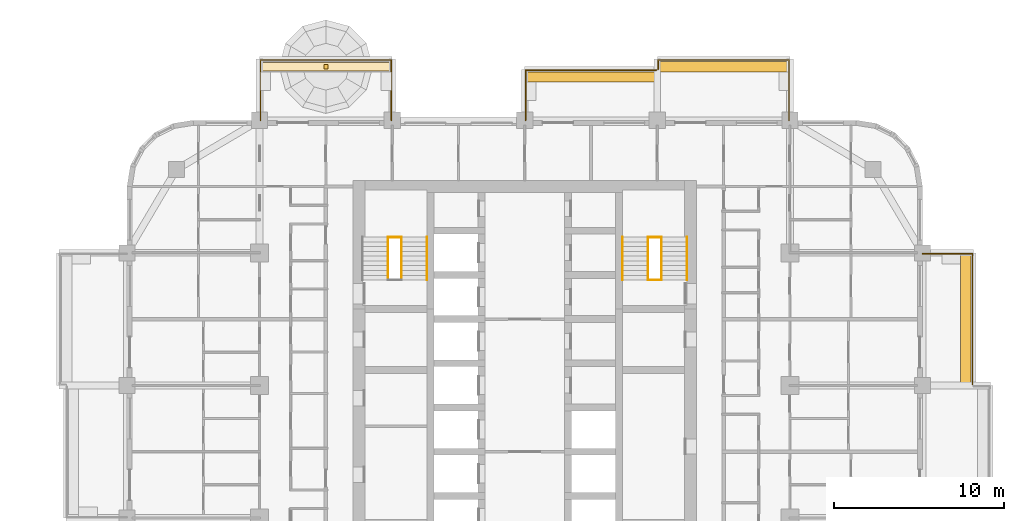
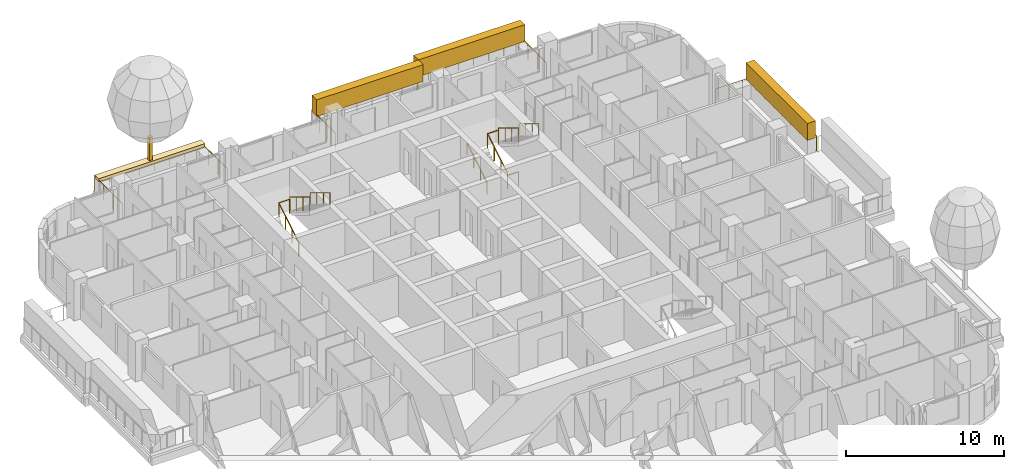
# One storey, part 18 of 19: 14 railings, 5 coverings, 2 elements without a shape of their own.
"""IFC4 building model written with IfcOpenShell, lengths in metres."""

from ifc_helpers import new_model, si_unit, direction, frame, origin, origin_2d, place, context, subcontext, project, spatial, rectangle, circle, extrude, material, layer, layer_set, type_object, element, aggregate, save


model = new_model("IFC4")

# Units and contexts
model_context = context("Model", 3, precision=1e-05, world=origin(), true_north=direction((0.0, 1.0)))
body_context = subcontext(model_context, "Body", "Model", "MODEL_VIEW")
ifc_project = project(units=[si_unit("LENGTHUNIT", "METRE"), si_unit("AREAUNIT", "SQUARE_METRE"), si_unit("VOLUMEUNIT", "CUBIC_METRE"), si_unit("PLANEANGLEUNIT", "RADIAN"), si_unit("MASSUNIT", "GRAM", prefix="KILO")], contexts=[model_context])

# Site, building, storey
site_placement = place(None, origin())
site = spatial("IfcSite", under=ifc_project, at=site_placement, CompositionType="ELEMENT")
building_placement = place(site_placement, origin())
building = spatial("IfcBuilding", under=site, at=building_placement, Name="Ludao Terraces", CompositionType="ELEMENT")
storey_placement = place(building_placement, frame((0.0, 0.0, 81.800048828125)))
storey = spatial("IfcBuildingStorey", under=building, at=storey_placement, Name="L22", CompositionType="ELEMENT", Elevation=81.800048828125)

# Railings
ifc_material_1 = material(Name="Stainless steel 304", Category="steel")
railing_type_1 = type_object("IfcRailingType", Name="ENV Balcony glass guard 1200", PredefinedType="GUARDRAIL", material=ifc_material_1)
railing_1_placement = place(storey_placement, frame((111.35009765625, 72.85009765625, 0.0)))
element("IfcRailing", 1, at=railing_1_placement, inside=storey, type_object=railing_type_1, Name="Balcony guard L22 E4", PredefinedType="GUARDRAIL", context=body_context, shape_type="SweptSolid", body=[
    extrude(circle(Radius=0.02392578125, at=origin_2d()), frame((0.0, 0.0, 1.17578125), z_axis=(0.0, 1.0, 0.0), x_axis=(-1.0, 0.0, 0.0)), (0.0, 0.0, 1.0), 7.699951171875),
    extrude(circle(Radius=0.02392578125, at=origin_2d()), frame((0.0, 7.699951171875, 1.17578125), z_axis=(-1.0, 0.0, 0.0), x_axis=(0.0, -1.0, 0.0)), (0.0, 0.0, 1.0), 2.9501953125),
    extrude(circle(Radius=0.02099609375, at=origin_2d()), origin(), (0.0, 0.0, 1.0), 1.15185546875),
    extrude(circle(Radius=0.02099609375, at=origin_2d()), frame((0.0, 1.10009765625, 0.0)), (0.0, 0.0, 1.0), 1.15185546875),
    extrude(circle(Radius=0.02099609375, at=origin_2d()), frame((0.0, 2.199951171875, 0.0)), (0.0, 0.0, 1.0), 1.15185546875),
    extrude(circle(Radius=0.02099609375, at=origin_2d()), frame((0.0, 3.300048828125, 0.0)), (0.0, 0.0, 1.0), 1.15185546875),
    extrude(circle(Radius=0.02099609375, at=origin_2d()), frame((0.0, 4.39990234375, 0.0)), (0.0, 0.0, 1.0), 1.15185546875),
    extrude(circle(Radius=0.02099609375, at=origin_2d()), frame((0.0, 5.5, 0.0)), (0.0, 0.0, 1.0), 1.15185546875),
    extrude(circle(Radius=0.02099609375, at=origin_2d()), frame((0.0, 6.599853515625, 0.0)), (0.0, 0.0, 1.0), 1.15185546875),
    extrude(circle(Radius=0.02099609375, at=origin_2d()), frame((0.0, 7.699951171875, 0.0)), (0.0, 0.0, 1.0), 1.15185546875),
    extrude(circle(Radius=0.02099609375, at=origin_2d()), frame((-0.9833984375, 7.699951171875, 0.0)), (0.0, 0.0, 1.0), 1.15185546875),
    extrude(circle(Radius=0.02099609375, at=origin_2d()), frame((-1.966796875, 7.699951171875, 0.0)), (0.0, 0.0, 1.0), 1.15185546875),
    extrude(circle(Radius=0.02099609375, at=origin_2d()), frame((-2.9501953125, 7.699951171875, 0.0)), (0.0, 0.0, 1.0), 1.15185546875),
])
railing_2_placement = place(storey_placement, frame((69.449951171875, 88.39990234375, 0.0)))
element("IfcRailing", 2, at=railing_2_placement, inside=storey, type_object=railing_type_1, Name="Balcony guard L22 N1", PredefinedType="GUARDRAIL", context=body_context, shape_type="SweptSolid", body=[
    extrude(circle(Radius=0.02392578125, at=origin_2d()), frame((0.0, 0.0, 1.17578125), z_axis=(0.0, 1.0, 0.0), x_axis=(-1.0, 0.0, 0.0)), (0.0, 0.0, 1.0), 3.550048828125),
    extrude(circle(Radius=0.02392578125, at=origin_2d()), frame((0.0, 3.550048828125, 1.17578125), z_axis=(1.0, 0.0, 0.0), x_axis=(0.0, 1.0, 0.0)), (0.0, 0.0, 1.0), 7.699951171875),
    extrude(circle(Radius=0.02392578125, at=origin_2d()), frame((7.699951171875, 3.550048828125, 1.17578125), z_axis=(0.0, -1.0, 0.0), x_axis=(1.0, 0.0, 0.0)), (0.0, 0.0, 1.0), 3.550048828125),
    extrude(circle(Radius=0.02099609375, at=origin_2d()), origin(), (0.0, 0.0, 1.0), 1.15185546875),
    extrude(circle(Radius=0.02099609375, at=origin_2d()), frame((0.0, 1.183349609375, 0.0)), (0.0, 0.0, 1.0), 1.15185546875),
    extrude(circle(Radius=0.02099609375, at=origin_2d()), frame((0.0, 2.36669921875, 0.0)), (0.0, 0.0, 1.0), 1.15185546875),
    extrude(circle(Radius=0.02099609375, at=origin_2d()), frame((0.0, 3.550048828125, 0.0)), (0.0, 0.0, 1.0), 1.15185546875),
    extrude(circle(Radius=0.02099609375, at=origin_2d()), frame((1.10009765625, 3.550048828125, 0.0)), (0.0, 0.0, 1.0), 1.15185546875),
    extrude(circle(Radius=0.02099609375, at=origin_2d()), frame((2.199951171875, 3.550048828125, 0.0)), (0.0, 0.0, 1.0), 1.15185546875),
    extrude(circle(Radius=0.02099609375, at=origin_2d()), frame((3.300048828125, 3.550048828125, 0.0)), (0.0, 0.0, 1.0), 1.15185546875),
    extrude(circle(Radius=0.02099609375, at=origin_2d()), frame((4.39990234375, 3.550048828125, 0.0)), (0.0, 0.0, 1.0), 1.15185546875),
    extrude(circle(Radius=0.02099609375, at=origin_2d()), frame((5.5, 3.550048828125, 0.0)), (0.0, 0.0, 1.0), 1.15185546875),
    extrude(circle(Radius=0.02099609375, at=origin_2d()), frame((6.599853515625, 3.550048828125, 0.0)), (0.0, 0.0, 1.0), 1.15185546875),
    extrude(circle(Radius=0.02099609375, at=origin_2d()), frame((7.699951171875, 3.550048828125, 0.0)), (0.0, 0.0, 1.0), 1.15185546875),
    extrude(circle(Radius=0.02099609375, at=origin_2d()), frame((7.699951171875, 2.36669921875, 0.0)), (0.0, 0.0, 1.0), 1.15185546875),
    extrude(circle(Radius=0.02099609375, at=origin_2d()), frame((7.699951171875, 1.183349609375, 0.0)), (0.0, 0.0, 1.0), 1.15185546875),
    extrude(circle(Radius=0.02099609375, at=origin_2d()), frame((7.699951171875, 0.0, 0.0)), (0.0, 0.0, 1.0), 1.15185546875),
])
railing_3_placement = place(storey_placement, frame((85.050048828125, 88.39990234375, 0.0)))
element("IfcRailing", 3, at=railing_3_placement, inside=storey, type_object=railing_type_1, Name="Balcony guard L22 N3", PredefinedType="GUARDRAIL", context=body_context, shape_type="SweptSolid", body=[
    extrude(circle(Radius=0.02392578125, at=origin_2d()), frame((0.0, 0.0, 1.17578125), z_axis=(0.0, 1.0, 0.0), x_axis=(-1.0, 0.0, 0.0)), (0.0, 0.0, 1.0), 2.9501953125),
    extrude(circle(Radius=0.02392578125, at=origin_2d()), frame((0.0, 2.9501953125, 1.17578125), z_axis=(1.0, 0.0, 0.0), x_axis=(0.0, 1.0, 0.0)), (0.0, 0.0, 1.0), 7.699951171875),
    extrude(circle(Radius=0.02099609375, at=origin_2d()), origin(), (0.0, 0.0, 1.0), 1.15185546875),
    extrude(circle(Radius=0.02099609375, at=origin_2d()), frame((0.0, 0.9833984375, 0.0)), (0.0, 0.0, 1.0), 1.15185546875),
    extrude(circle(Radius=0.02099609375, at=origin_2d()), frame((0.0, 1.966796875, 0.0)), (0.0, 0.0, 1.0), 1.15185546875),
    extrude(circle(Radius=0.02099609375, at=origin_2d()), frame((0.0, 2.9501953125, 0.0)), (0.0, 0.0, 1.0), 1.15185546875),
    extrude(circle(Radius=0.02099609375, at=origin_2d()), frame((1.10009765625, 2.9501953125, 0.0)), (0.0, 0.0, 1.0), 1.15185546875),
    extrude(circle(Radius=0.02099609375, at=origin_2d()), frame((2.199951171875, 2.9501953125, 0.0)), (0.0, 0.0, 1.0), 1.15185546875),
    extrude(circle(Radius=0.02099609375, at=origin_2d()), frame((3.300048828125, 2.9501953125, 0.0)), (0.0, 0.0, 1.0), 1.15185546875),
    extrude(circle(Radius=0.02099609375, at=origin_2d()), frame((4.39990234375, 2.9501953125, 0.0)), (0.0, 0.0, 1.0), 1.15185546875),
    extrude(circle(Radius=0.02099609375, at=origin_2d()), frame((5.5, 2.9501953125, 0.0)), (0.0, 0.0, 1.0), 1.15185546875),
    extrude(circle(Radius=0.02099609375, at=origin_2d()), frame((6.599853515625, 2.9501953125, 0.0)), (0.0, 0.0, 1.0), 1.15185546875),
    extrude(circle(Radius=0.02099609375, at=origin_2d()), frame((7.699951171875, 2.9501953125, 0.0)), (0.0, 0.0, 1.0), 1.15185546875),
])
railing_4_placement = place(storey_placement, frame((92.85009765625, 91.39990234375, 0.0)))
element("IfcRailing", 4, at=railing_4_placement, inside=storey, type_object=railing_type_1, Name="Balcony guard L22 N4", PredefinedType="GUARDRAIL", context=body_context, shape_type="SweptSolid", body=[
    extrude(circle(Radius=0.02392578125, at=origin_2d()), frame((0.0, 0.0, 1.17578125), z_axis=(0.0, 1.0, 0.0), x_axis=(-1.0, 0.0, 0.0)), (0.0, 0.0, 1.0), 0.550048828125),
    extrude(circle(Radius=0.02392578125, at=origin_2d()), frame((0.0, 0.550048828125, 1.17578125), z_axis=(1.0, 0.0, 0.0), x_axis=(0.0, 1.0, 0.0)), (0.0, 0.0, 1.0), 7.699951171875),
    extrude(circle(Radius=0.02392578125, at=origin_2d()), frame((7.699951171875, 0.550048828125, 1.17578125), z_axis=(0.0, -1.0, 0.0), x_axis=(1.0, 0.0, 0.0)), (0.0, 0.0, 1.0), 3.550048828125),
    extrude(circle(Radius=0.02099609375, at=origin_2d()), origin(), (0.0, 0.0, 1.0), 1.15185546875),
    extrude(circle(Radius=0.02099609375, at=origin_2d()), frame((0.0, 0.550048828125, 0.0)), (0.0, 0.0, 1.0), 1.15185546875),
    extrude(circle(Radius=0.02099609375, at=origin_2d()), frame((1.10009765625, 0.550048828125, 0.0)), (0.0, 0.0, 1.0), 1.15185546875),
    extrude(circle(Radius=0.02099609375, at=origin_2d()), frame((2.199951171875, 0.550048828125, 0.0)), (0.0, 0.0, 1.0), 1.15185546875),
    extrude(circle(Radius=0.02099609375, at=origin_2d()), frame((3.300048828125, 0.550048828125, 0.0)), (0.0, 0.0, 1.0), 1.15185546875),
    extrude(circle(Radius=0.02099609375, at=origin_2d()), frame((4.39990234375, 0.550048828125, 0.0)), (0.0, 0.0, 1.0), 1.15185546875),
    extrude(circle(Radius=0.02099609375, at=origin_2d()), frame((5.5, 0.550048828125, 0.0)), (0.0, 0.0, 1.0), 1.15185546875),
    extrude(circle(Radius=0.02099609375, at=origin_2d()), frame((6.599853515625, 0.550048828125, 0.0)), (0.0, 0.0, 1.0), 1.15185546875),
    extrude(circle(Radius=0.02099609375, at=origin_2d()), frame((7.699951171875, 0.550048828125, 0.0)), (0.0, 0.0, 1.0), 1.15185546875),
    extrude(circle(Radius=0.02099609375, at=origin_2d()), frame((7.699951171875, -0.63330078125, 0.0)), (0.0, 0.0, 1.0), 1.15185546875),
    extrude(circle(Radius=0.02099609375, at=origin_2d()), frame((7.699951171875, -1.816650390625, 0.0)), (0.0, 0.0, 1.0), 1.15185546875),
    extrude(circle(Radius=0.02099609375, at=origin_2d()), frame((7.699951171875, -3.0, 0.0)), (0.0, 0.0, 1.0), 1.15185546875),
])

# Coverings
ifc_material_2 = material(Name="Planting")
ifc_layer_1 = layer(ifc_material_2, 0.5)
ifc_layer_set_1 = layer_set([ifc_layer_1], Name="ENV Planting bed 250")
covering_type_1 = type_object("IfcCoveringType", Name="ENV Planting bed 250", PredefinedType="USERDEFINED", material=ifc_layer_set_1)
covering_1_placement = place(storey_placement, frame((73.300048828125, 91.550048828125, 1.099853515625), z_axis=(0.0, 0.0, 1.0), x_axis=(1.0, 0.0, 0.0)))
element("IfcCovering", 5, at=covering_1_placement, inside=storey, type_object=covering_type_1, Name="Planting bed L22-N1", ObjectType="PLANTING", PredefinedType="USERDEFINED", context=body_context, shape_type="SweptSolid", body=[
    extrude(rectangle(XDim=7.800048828125, YDim=0.5, at=origin_2d()), origin(), (0.0, 0.0, 1.0), 0.25),
])
ifc_layer_2 = layer(ifc_material_2, 0.60009765625)
ifc_layer_set_2 = layer_set([ifc_layer_2], Name="ENV Planting hedge 600x1300")
covering_type_2 = type_object("IfcCoveringType", Name="ENV Planting hedge 600x1300", PredefinedType="USERDEFINED", material=ifc_layer_set_2)
covering_2_placement = place(storey_placement, frame((110.949951171875, 76.699951171875, 1.10009765625), z_axis=(0.0, 0.0, 1.0), x_axis=(1.0, 0.0, 0.0)))
element("IfcCovering", 6, at=covering_2_placement, inside=storey, type_object=covering_type_2, Name="Planting hedge L22-E4", ObjectType="PLANTING", PredefinedType="USERDEFINED", context=body_context, shape_type="SweptSolid", body=[
    extrude(rectangle(XDim=0.60009765625, YDim=7.800048828125, at=origin_2d()), origin(), (0.0, 0.0, 1.0), 1.300048828125),
])
for number, where, z_axis, x_axis, name in (
    (7, (88.89990234375, 90.949951171875, 1.10009765625), (0.0, 0.0, 1.0), (1.0, 0.0, 0.0), "Planting hedge L22-N3"),
    (8, (96.699951171875, 91.550048828125, 1.10009765625), (0.0, 0.0, 1.0), (1.0, 0.0, 0.0), "Planting hedge L22-N4"),
):
    element("IfcCovering", number, at=place(storey_placement, frame(where, z_axis=z_axis, x_axis=x_axis)), inside=storey, type_object=covering_type_2, Name=name, ObjectType="PLANTING", PredefinedType="USERDEFINED", context=body_context, shape_type="SweptSolid", body=[
        extrude(rectangle(XDim=7.800048828125, YDim=0.60009765625, at=origin_2d()), origin(), (0.0, 0.0, 1.0), 1.300048828125),
    ])
ifc_material_3 = material(Name="Timber tree trunk", Category="wood")
ifc_layer_3 = layer(ifc_material_3, 0.25)
ifc_layer_set_3 = layer_set([ifc_layer_3], Name="ENV Tree trunk 250x1800")
covering_type_3 = type_object("IfcCoveringType", Name="ENV Tree trunk 250x1800", PredefinedType="USERDEFINED", material=ifc_layer_set_3)
covering_3_placement = place(storey_placement, frame((73.300048828125, 91.550048828125, 1.35009765625), z_axis=(0.0, 0.0, 1.0), x_axis=(1.0, 0.0, 0.0)))
element("IfcCovering", 9, at=covering_3_placement, inside=storey, type_object=covering_type_3, Name="Tree trunk L22 N1", ObjectType="PLANTING", PredefinedType="USERDEFINED", context=body_context, shape_type="SweptSolid", body=[
    extrude(rectangle(XDim=0.25, YDim=0.25, at=origin_2d()), origin(), (0.0, 0.0, 1.0), 1.800048828125),
])

# Stair, railings
ifc_material_4 = material(Name="Concrete C40", Category="concrete")
stair_type = type_object("IfcStairType", Name="INT Stair", PredefinedType="HALF_TURN_STAIR", material=ifc_material_4)
stair_1_placement = place(storey_placement, origin())
stair_1 = element("IfcStair", 10, at=stair_1_placement, inside=storey, type_object=stair_type, Name="EXIT STAIR 1", PredefinedType="HALF_TURN_STAIR")
railing_type_2 = type_object("IfcRailingType", Name="INT Stair guard 1100", PredefinedType="GUARDRAIL", material=ifc_material_1)
railing_5_placement = place(storey_placement, frame((76.949951171875, 79.0, 0.169921875)))
railing_5 = element("IfcRailing", 11, at=railing_5_placement, type_object=railing_type_2, Name="ST-L22-S1-R1G", PredefinedType="GUARDRAIL", context=body_context, shape_type="SweptSolid", body=[
    extrude(circle(Radius=0.02392578125, at=origin_2d()), frame((0.0, 0.0, 1.076171875), z_axis=(0.0, 0.85478489116, 0.518982456201), x_axis=(-1.0, 0.0, 0.0)), (0.0, 0.0, 1.0), 2.9482421875),
    extrude(circle(Radius=0.02099609375, at=origin_2d()), origin(), (0.0, 0.0, 1.0), 1.052001953125),
    extrude(circle(Radius=0.02099609375, at=origin_2d()), frame((0.0, 0.840087890625, 0.510009765625)), (0.0, 0.0, 1.0), 1.052001953125),
    extrude(circle(Radius=0.02099609375, at=origin_2d()), frame((0.0, 1.679931640625, 1.02001953125)), (0.0, 0.0, 1.0), 1.052001953125),
    extrude(circle(Radius=0.02099609375, at=origin_2d()), frame((0.0, 2.52001953125, 1.530029296875)), (0.0, 0.0, 1.0), 1.052001953125),
])
railing_6_placement = place(storey_placement, frame((77.75, 81.52001953125, 1.869873046875)))
railing_6 = element("IfcRailing", 12, at=railing_6_placement, type_object=railing_type_2, Name="ST-L22-S1-R2G", PredefinedType="GUARDRAIL", context=body_context, shape_type="SweptSolid", body=[
    extrude(circle(Radius=0.02392578125, at=origin_2d()), frame((0.0, 0.0, 1.076171875), z_axis=(0.0, -0.85478489116, 0.518982456201), x_axis=(1.0, 0.0, 0.0)), (0.0, 0.0, 1.0), 2.9482421875),
    extrude(circle(Radius=0.02099609375, at=origin_2d()), origin(), (0.0, 0.0, 1.0), 1.052001953125),
    extrude(circle(Radius=0.02099609375, at=origin_2d()), frame((0.0, -0.840087890625, 0.510009765625)), (0.0, 0.0, 1.0), 1.052001953125),
    extrude(circle(Radius=0.02099609375, at=origin_2d()), frame((0.0, -1.679931640625, 1.02001953125)), (0.0, 0.0, 1.0), 1.052001953125),
    extrude(circle(Radius=0.02099609375, at=origin_2d()), frame((0.0, -2.52001953125, 1.530029296875)), (0.0, 0.0, 1.0), 1.052001953125),
])
railing_7_placement = place(storey_placement, frame((76.949951171875, 81.52001953125, 1.699951171875)))
railing_7 = element("IfcRailing", 13, at=railing_7_placement, type_object=railing_type_2, Name="ST-L22-S1-E1G", PredefinedType="GUARDRAIL", context=body_context, shape_type="SweptSolid", body=[
    extrude(circle(Radius=0.02392578125, at=origin_2d()), frame((0.0, 0.0, 1.076171875), z_axis=(1.0, 0.0, 0.0), x_axis=(0.0, 1.0, 0.0)), (0.0, 0.0, 1.0), 0.800048828125),
    extrude(circle(Radius=0.02099609375, at=origin_2d()), origin(), (0.0, 0.0, 1.0), 1.052001953125),
    extrude(circle(Radius=0.02099609375, at=origin_2d()), frame((0.800048828125, 0.0, 0.0)), (0.0, 0.0, 1.0), 1.052001953125),
])

stair_2_placement = place(storey_placement, origin())
stair_2 = element("IfcStair", 14, at=stair_2_placement, inside=storey, type_object=stair_type, Name="EXIT STAIR 2", PredefinedType="HALF_TURN_STAIR")
railing_8_placement = place(storey_placement, frame((92.25, 79.0, 0.169921875)))
railing_8 = element("IfcRailing", 15, at=railing_8_placement, type_object=railing_type_2, Name="ST-L22-S2-R1G", PredefinedType="GUARDRAIL", context=body_context, shape_type="SweptSolid", body=[
    extrude(circle(Radius=0.02392578125, at=origin_2d()), frame((0.0, 0.0, 1.076171875), z_axis=(0.0, 0.85478489116, 0.518982456201), x_axis=(-1.0, 0.0, 0.0)), (0.0, 0.0, 1.0), 2.9482421875),
    extrude(circle(Radius=0.02099609375, at=origin_2d()), origin(), (0.0, 0.0, 1.0), 1.052001953125),
    extrude(circle(Radius=0.02099609375, at=origin_2d()), frame((0.0, 0.840087890625, 0.510009765625)), (0.0, 0.0, 1.0), 1.052001953125),
    extrude(circle(Radius=0.02099609375, at=origin_2d()), frame((0.0, 1.679931640625, 1.02001953125)), (0.0, 0.0, 1.0), 1.052001953125),
    extrude(circle(Radius=0.02099609375, at=origin_2d()), frame((0.0, 2.52001953125, 1.530029296875)), (0.0, 0.0, 1.0), 1.052001953125),
])
railing_9_placement = place(storey_placement, frame((93.050048828125, 81.52001953125, 1.869873046875)))
railing_9 = element("IfcRailing", 16, at=railing_9_placement, type_object=railing_type_2, Name="ST-L22-S2-R2G", PredefinedType="GUARDRAIL", context=body_context, shape_type="SweptSolid", body=[
    extrude(circle(Radius=0.02392578125, at=origin_2d()), frame((0.0, 0.0, 1.076171875), z_axis=(0.0, -0.85478489116, 0.518982456201), x_axis=(1.0, 0.0, 0.0)), (0.0, 0.0, 1.0), 2.9482421875),
    extrude(circle(Radius=0.02099609375, at=origin_2d()), origin(), (0.0, 0.0, 1.0), 1.052001953125),
    extrude(circle(Radius=0.02099609375, at=origin_2d()), frame((0.0, -0.840087890625, 0.510009765625)), (0.0, 0.0, 1.0), 1.052001953125),
    extrude(circle(Radius=0.02099609375, at=origin_2d()), frame((0.0, -1.679931640625, 1.02001953125)), (0.0, 0.0, 1.0), 1.052001953125),
    extrude(circle(Radius=0.02099609375, at=origin_2d()), frame((0.0, -2.52001953125, 1.530029296875)), (0.0, 0.0, 1.0), 1.052001953125),
])
railing_10_placement = place(storey_placement, frame((92.25, 81.52001953125, 1.699951171875)))
railing_10 = element("IfcRailing", 17, at=railing_10_placement, type_object=railing_type_2, Name="ST-L22-S2-E1G", PredefinedType="GUARDRAIL", context=body_context, shape_type="SweptSolid", body=[
    extrude(circle(Radius=0.02392578125, at=origin_2d()), frame((0.0, 0.0, 1.076171875), z_axis=(1.0, 0.0, 0.0), x_axis=(0.0, 1.0, 0.0)), (0.0, 0.0, 1.0), 0.800048828125),
    extrude(circle(Radius=0.02099609375, at=origin_2d()), origin(), (0.0, 0.0, 1.0), 1.052001953125),
    extrude(circle(Radius=0.02099609375, at=origin_2d()), frame((0.800048828125, 0.0, 0.0)), (0.0, 0.0, 1.0), 1.052001953125),
])
railing_11_placement = place(storey_placement, frame((92.25, 79.0, 0.0)))
railing_11 = element("IfcRailing", 18, at=railing_11_placement, type_object=railing_type_2, Name="ST-L22-S2-E2G", PredefinedType="GUARDRAIL", context=body_context, shape_type="SweptSolid", body=[
    extrude(circle(Radius=0.02392578125, at=origin_2d()), frame((0.0, 0.0, 1.076171875), z_axis=(1.0, 0.0, 0.0), x_axis=(0.0, 1.0, 0.0)), (0.0, 0.0, 1.0), 0.800048828125),
    extrude(circle(Radius=0.02099609375, at=origin_2d()), origin(), (0.0, 0.0, 1.0), 1.052001953125),
    extrude(circle(Radius=0.02099609375, at=origin_2d()), frame((0.800048828125, 0.0, 0.0)), (0.0, 0.0, 1.0), 1.052001953125),
])

# Railing
railing_type_3 = type_object("IfcRailingType", Name="INT Stair handrail 900", PredefinedType="HANDRAIL", material=ifc_material_1)
railing_12_placement = place(storey_placement, frame((79.25, 81.52001953125, 1.869873046875)))
railing_12 = element("IfcRailing", 19, at=railing_12_placement, type_object=railing_type_3, Name="ST-L22-S1-R2H", PredefinedType="HANDRAIL", context=body_context, shape_type="SweptSolid", body=[
    extrude(circle(Radius=0.02392578125, at=origin_2d()), frame((0.0, 0.0, 0.8759765625), z_axis=(0.0, -0.85478489116, 0.518982456201), x_axis=(1.0, 0.0, 0.0)), (0.0, 0.0, 1.0), 2.9482421875),
    extrude(circle(Radius=0.02099609375, at=origin_2d()), origin(), (0.0, 0.0, 1.0), 0.851806640625),
    extrude(circle(Radius=0.02099609375, at=origin_2d()), frame((0.0, -0.840087890625, 0.510009765625)), (0.0, 0.0, 1.0), 0.851806640625),
    extrude(circle(Radius=0.02099609375, at=origin_2d()), frame((0.0, -1.679931640625, 1.02001953125)), (0.0, 0.0, 1.0), 0.851806640625),
    extrude(circle(Radius=0.02099609375, at=origin_2d()), frame((0.0, -2.52001953125, 1.530029296875)), (0.0, 0.0, 1.0), 0.851806640625),
])

aggregate(stair_1, [railing_5, railing_6, railing_12, railing_7])

railing_13_placement = place(storey_placement, frame((90.75, 79.0, 0.169921875)))
railing_13 = element("IfcRailing", 20, at=railing_13_placement, type_object=railing_type_3, Name="ST-L22-S2-R1H", PredefinedType="HANDRAIL", context=body_context, shape_type="SweptSolid", body=[
    extrude(circle(Radius=0.02392578125, at=origin_2d()), frame((0.0, 0.0, 0.8759765625), z_axis=(0.0, 0.85478489116, 0.518982456201), x_axis=(-1.0, 0.0, 0.0)), (0.0, 0.0, 1.0), 2.9482421875),
    extrude(circle(Radius=0.02099609375, at=origin_2d()), origin(), (0.0, 0.0, 1.0), 0.851806640625),
    extrude(circle(Radius=0.02099609375, at=origin_2d()), frame((0.0, 0.840087890625, 0.510009765625)), (0.0, 0.0, 1.0), 0.851806640625),
    extrude(circle(Radius=0.02099609375, at=origin_2d()), frame((0.0, 1.679931640625, 1.02001953125)), (0.0, 0.0, 1.0), 0.851806640625),
    extrude(circle(Radius=0.02099609375, at=origin_2d()), frame((0.0, 2.52001953125, 1.530029296875)), (0.0, 0.0, 1.0), 0.851806640625),
])

railing_14_placement = place(storey_placement, frame((94.550048828125, 81.52001953125, 1.869873046875)))
railing_14 = element("IfcRailing", 21, at=railing_14_placement, type_object=railing_type_3, Name="ST-L22-S2-R2H", PredefinedType="HANDRAIL", context=body_context, shape_type="SweptSolid", body=[
    extrude(circle(Radius=0.02392578125, at=origin_2d()), frame((0.0, 0.0, 0.8759765625), z_axis=(0.0, -0.85478489116, 0.518982456201), x_axis=(1.0, 0.0, 0.0)), (0.0, 0.0, 1.0), 2.9482421875),
    extrude(circle(Radius=0.02099609375, at=origin_2d()), origin(), (0.0, 0.0, 1.0), 0.851806640625),
    extrude(circle(Radius=0.02099609375, at=origin_2d()), frame((0.0, -0.840087890625, 0.510009765625)), (0.0, 0.0, 1.0), 0.851806640625),
    extrude(circle(Radius=0.02099609375, at=origin_2d()), frame((0.0, -1.679931640625, 1.02001953125)), (0.0, 0.0, 1.0), 0.851806640625),
    extrude(circle(Radius=0.02099609375, at=origin_2d()), frame((0.0, -2.52001953125, 1.530029296875)), (0.0, 0.0, 1.0), 0.851806640625),
])

aggregate(stair_2, [railing_8, railing_13, railing_9, railing_14, railing_10, railing_11])

save(model, "model.ifc")
